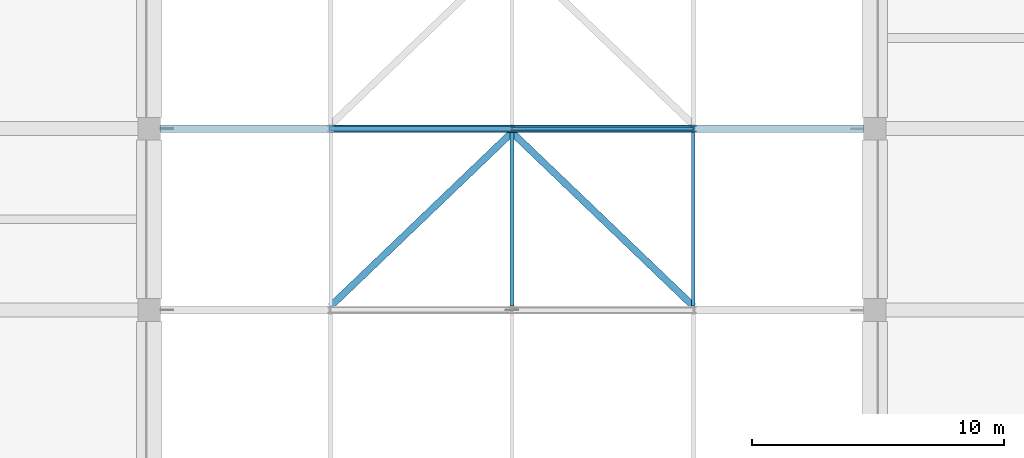
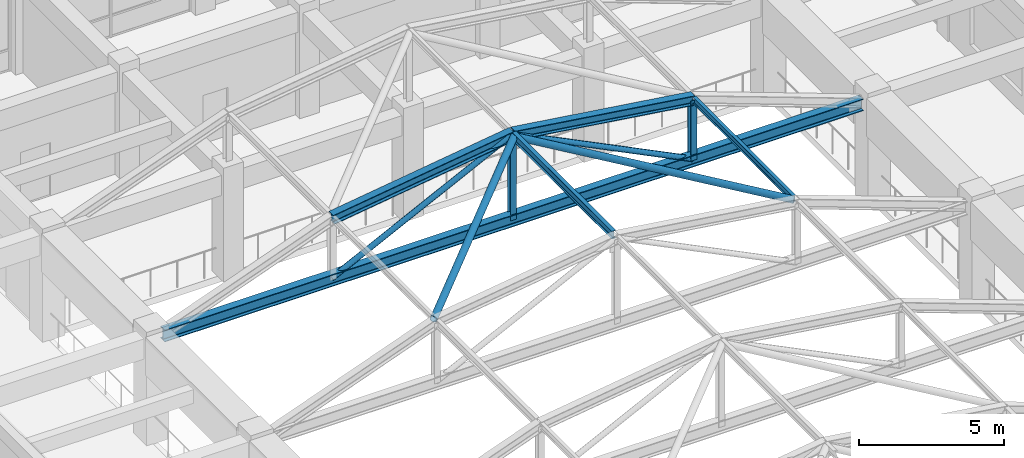
# One storey, part 22 of 75: 10 members, 1 beam.
"""IFC4 building model written with IfcOpenShell, lengths in metres."""

from ifc_helpers import new_model, si_unit, direction, frame, origin, origin_2d, place, context, subcontext, project, spatial, hollow_circle, i_section, extrude, material, material_profile, profile_set, type_object, element, save


model = new_model("IFC4")

# Units and contexts
model_context = context("Model", 3, precision=1e-05, world=origin(), true_north=direction((0.0, 1.0)))
body_context = subcontext(model_context, "Body", "Model", "MODEL_VIEW")
ifc_project = project(units=[si_unit("LENGTHUNIT", "METRE"), si_unit("AREAUNIT", "SQUARE_METRE"), si_unit("VOLUMEUNIT", "CUBIC_METRE"), si_unit("PLANEANGLEUNIT", "RADIAN"), si_unit("MASSUNIT", "GRAM", prefix="KILO")], contexts=[model_context])

# Site, building, storey
site_placement = place(None, origin())
site = spatial("IfcSite", under=ifc_project, at=site_placement, CompositionType="ELEMENT")
building_placement = place(site_placement, origin())
building = spatial("IfcBuilding", under=site, at=building_placement, Name="Cendaluz Park School", CompositionType="ELEMENT")
storey_placement = place(building_placement, frame((0.0, 0.0, 4.800048828125)))
storey = spatial("IfcBuildingStorey", under=building, at=storey_placement, Name="L01", CompositionType="ELEMENT", Elevation=4.800048828125)

# Beam
ifc_material = material(Name="Steel S355", Category="steel")
ifc_material_profile_1 = material_profile(ifc_material, i_section(OverallWidth=0.300048828125, OverallDepth=0.5, WebThickness=0.014892578125, FlangeThickness=0.028076171875, FilletRadius=0.027099609375, at=origin_2d()), Name="HEB 500", Category="steel")
ifc_profile_set_1 = profile_set([ifc_material_profile_1], Name="Steel S355")
beam_type = type_object("IfcBeamType", Name="BM-ST01", PredefinedType="BEAM", material=ifc_profile_set_1)
beam_placement = place(storey_placement, frame((7.64990234375, 93.60009765625, 4.14990234375), z_axis=(1.0, 0.0, 0.0), x_axis=(0.0, 1.0, 0.0)))
element("IfcBeam", 1, at=beam_placement, inside=storey, type_object=beam_type, Name="BM-L01-BMST01-0529", PredefinedType="BEAM", context=body_context, shape_type="SweptSolid", body=[
    extrude(i_section(OverallWidth=0.300048828125, OverallDepth=0.5, WebThickness=0.014892578125, FlangeThickness=0.028076171875, FilletRadius=0.027099609375, at=origin_2d()), origin(), (0.0, 0.0, 1.0), 27.900146484375),
])

# Members
ifc_material_profile_2 = material_profile(ifc_material, i_section(OverallWidth=0.300048828125, OverallDepth=0.39990234375, WebThickness=0.013916015625, FlangeThickness=0.02392578125, FilletRadius=0.027099609375, at=origin_2d()), Name="HEB 400", Category="steel")
ifc_profile_set_2 = profile_set([ifc_material_profile_2], Name="Steel S355")
member_type_1 = type_object("IfcMemberType", Name="MB-CH01", PredefinedType="CHORD", material=ifc_profile_set_2)
member_1_placement = place(storey_placement, frame((14.39990234375, 93.60009765625, 6.68994140625), z_axis=(0.990113994111, 0.0, 0.140265030089), x_axis=(0.0, 1.0, 0.0)))
element("IfcMember", 2, at=member_1_placement, inside=storey, type_object=member_type_1, Name="MB-L01-MBCH01-0045", PredefinedType="CHORD", context=body_context, shape_type="SweptSolid", body=[
    extrude(i_section(OverallWidth=0.300048828125, OverallDepth=0.39990234375, WebThickness=0.013916015625, FlangeThickness=0.02392578125, FilletRadius=0.027099609375, at=origin_2d()), origin(), (0.0, 0.0, 1.0), 7.27197265625),
])
member_2_placement = place(storey_placement, frame((21.60009765625, 93.60009765625, 7.7099609375), z_axis=(0.990113333567, 0.0, -0.140269692708), x_axis=(0.0, 1.0, 0.0)))
element("IfcMember", 3, at=member_2_placement, inside=storey, type_object=member_type_1, Name="MB-L01-MBCH01-0046", PredefinedType="CHORD", context=body_context, shape_type="SweptSolid", body=[
    extrude(i_section(OverallWidth=0.300048828125, OverallDepth=0.39990234375, WebThickness=0.013916015625, FlangeThickness=0.02392578125, FilletRadius=0.027099609375, at=origin_2d()), origin(), (0.0, 0.0, 1.0), 7.271728515625),
])
ifc_material_profile_3 = material_profile(ifc_material, i_section(OverallWidth=0.135009765625, OverallDepth=0.27001953125, WebThickness=0.007080078125, FlangeThickness=0.010009765625, FilletRadius=0.014892578125, at=origin_2d()), Name="IPE 270", Category="steel")
ifc_profile_set_3 = profile_set([ifc_material_profile_3], Name="Steel S355")
member_type_2 = type_object("IfcMemberType", Name="MB-PR01", PredefinedType="PURLIN", material=ifc_profile_set_3)
member_3_placement = place(storey_placement, frame((28.800048828125, 86.550048828125, 6.73486328125), z_axis=(0.0, 1.0, 0.0), x_axis=(-1.0, 0.0, 0.0)))
element("IfcMember", 4, at=member_3_placement, inside=storey, type_object=member_type_2, Name="MB-L01-MBPR01-0080", PredefinedType="PURLIN", context=body_context, shape_type="SweptSolid", body=[
    extrude(i_section(OverallWidth=0.135009765625, OverallDepth=0.27001953125, WebThickness=0.007080078125, FlangeThickness=0.010009765625, FilletRadius=0.014892578125, at=origin_2d()), origin(), (0.0, 0.0, 1.0), 6.89990234375),
])
ifc_material_profile_4 = material_profile(ifc_material, i_section(OverallWidth=0.159912109375, OverallDepth=0.330078125, WebThickness=0.008056640625, FlangeThickness=0.011962890625, FilletRadius=0.01806640625, at=origin_2d()), Name="IPE 330", Category="steel")
ifc_profile_set_4 = profile_set([ifc_material_profile_4], Name="Steel S355")
member_type_3 = type_object("IfcMemberType", Name="MB-PR02", PredefinedType="PURLIN", material=ifc_profile_set_4)
member_4_placement = place(storey_placement, frame((21.60009765625, 86.550048828125, 7.73486328125), z_axis=(0.0, 1.0, 0.0), x_axis=(-1.0, 0.0, 0.0)))
element("IfcMember", 5, at=member_4_placement, inside=storey, type_object=member_type_3, Name="MB-L01-MBPR02-0079", PredefinedType="PURLIN", context=body_context, shape_type="SweptSolid", body=[
    extrude(i_section(OverallWidth=0.159912109375, OverallDepth=0.330078125, WebThickness=0.008056640625, FlangeThickness=0.011962890625, FilletRadius=0.01806640625, at=origin_2d()), origin(), (0.0, 0.0, 1.0), 6.89990234375),
])
ifc_material_profile_5 = material_profile(ifc_material, hollow_circle(Radius=0.136474609375, WallThickness=0.011962890625, at=origin_2d()), Name="CHS 273x12", Category="steel")
ifc_profile_set_5 = profile_set([ifc_material_profile_5], Name="Steel S355")
member_type_4 = type_object("IfcMemberType", Name="MBR-01", PredefinedType="BRACE", material=ifc_profile_set_5)
member_5_placement = place(storey_placement, frame((14.39990234375, 86.550048828125, 6.68994140625), z_axis=(0.718255132872, 0.688299422393, 0.101751998682), x_axis=(-0.691890474914, 0.722002472796, 0.0)))
element("IfcMember", 6, at=member_5_placement, inside=storey, type_object=member_type_4, Name="MB-L01-MBBR01-0081", PredefinedType="BRACE", context=body_context, shape_type="SweptSolid", body=[
    extrude(hollow_circle(Radius=0.136474609375, WallThickness=0.011962890625, at=origin_2d()), origin(), (0.0, 0.0, 1.0), 10.024658203125),
])
member_6_placement = place(storey_placement, frame((28.800048828125, 86.550048828125, 6.68994140625), z_axis=(-0.718243342444, 0.688311462621, 0.101753778601), x_axis=(-0.691902704581, -0.721990752983, 0.0)))
element("IfcMember", 7, at=member_6_placement, inside=storey, type_object=member_type_4, Name="MB-L01-MBBR01-0082", PredefinedType="BRACE", context=body_context, shape_type="SweptSolid", body=[
    extrude(hollow_circle(Radius=0.136474609375, WallThickness=0.011962890625, at=origin_2d()), origin(), (0.0, 0.0, 1.0), 10.0244140625),
])
ifc_material_profile_6 = material_profile(ifc_material, hollow_circle(Radius=0.109619140625, WallThickness=0.010009765625, at=origin_2d()), Name="CHS 219x10", Category="steel")
ifc_profile_set_6 = profile_set([ifc_material_profile_6], Name="Steel S355")
member_type_5 = type_object("IfcMemberType", Name="MBR-02", PredefinedType="BRACE", material=ifc_profile_set_6)
member_7_placement = place(storey_placement, frame((14.39990234375, 93.60009765625, 4.14990234375), z_axis=(0.896412219401, 0.0, 0.443221313689), x_axis=(0.0, 1.0, 0.0)))
element("IfcMember", 8, at=member_7_placement, inside=storey, type_object=member_type_5, Name="MB-L01-MBBR02-0051", PredefinedType="BRACE", context=body_context, shape_type="SweptSolid", body=[
    extrude(hollow_circle(Radius=0.109619140625, WallThickness=0.010009765625, at=origin_2d()), origin(), (0.0, 0.0, 1.0), 8.0322265625),
])
member_8_placement = place(storey_placement, frame((28.800048828125, 93.60009765625, 4.14990234375), z_axis=(-0.896406248188, 0.0, 0.443233390224), x_axis=(0.0, -1.0, 0.0)))
element("IfcMember", 9, at=member_8_placement, inside=storey, type_object=member_type_5, Name="MB-L01-MBBR02-0052", PredefinedType="BRACE", context=body_context, shape_type="SweptSolid", body=[
    extrude(hollow_circle(Radius=0.109619140625, WallThickness=0.010009765625, at=origin_2d()), origin(), (0.0, 0.0, 1.0), 8.031982421875),
])
ifc_material_profile_7 = material_profile(ifc_material, i_section(OverallWidth=0.239990234375, OverallDepth=0.22998046875, WebThickness=0.008056640625, FlangeThickness=0.011962890625, FilletRadius=0.02099609375, at=origin_2d()), Name="HEA 240", Category="steel")
ifc_profile_set_7 = profile_set([ifc_material_profile_7], Name="Steel S355")
member_type_6 = type_object("IfcMemberType", Name="MST-01", PredefinedType="STRUT", material=ifc_profile_set_7)
member_9_placement = place(storey_placement, frame((21.60009765625, 93.60009765625, 4.14990234375), z_axis=(0.0, 0.0, 1.0), x_axis=(1.0, 0.0, 0.0)))
element("IfcMember", 10, at=member_9_placement, inside=storey, type_object=member_type_6, Name="MB-L01-MBST01-0049", PredefinedType="STRUT", context=body_context, shape_type="SweptSolid", body=[
    extrude(i_section(OverallWidth=0.239990234375, OverallDepth=0.22998046875, WebThickness=0.008056640625, FlangeThickness=0.011962890625, FilletRadius=0.02099609375, at=origin_2d()), origin(), (0.0, 0.0, 1.0), 3.56005859375),
])
member_10_placement = place(storey_placement, frame((28.800048828125, 93.60009765625, 4.14990234375), z_axis=(0.0, 0.0, 1.0), x_axis=(1.0, 0.0, 0.0)))
element("IfcMember", 11, at=member_10_placement, inside=storey, type_object=member_type_6, Name="MB-L01-MBST01-0050", PredefinedType="STRUT", context=body_context, shape_type="SweptSolid", body=[
    extrude(i_section(OverallWidth=0.239990234375, OverallDepth=0.22998046875, WebThickness=0.008056640625, FlangeThickness=0.011962890625, FilletRadius=0.02099609375, at=origin_2d()), origin(), (0.0, 0.0, 1.0), 2.5400390625),
])

save(model, "model.ifc")
